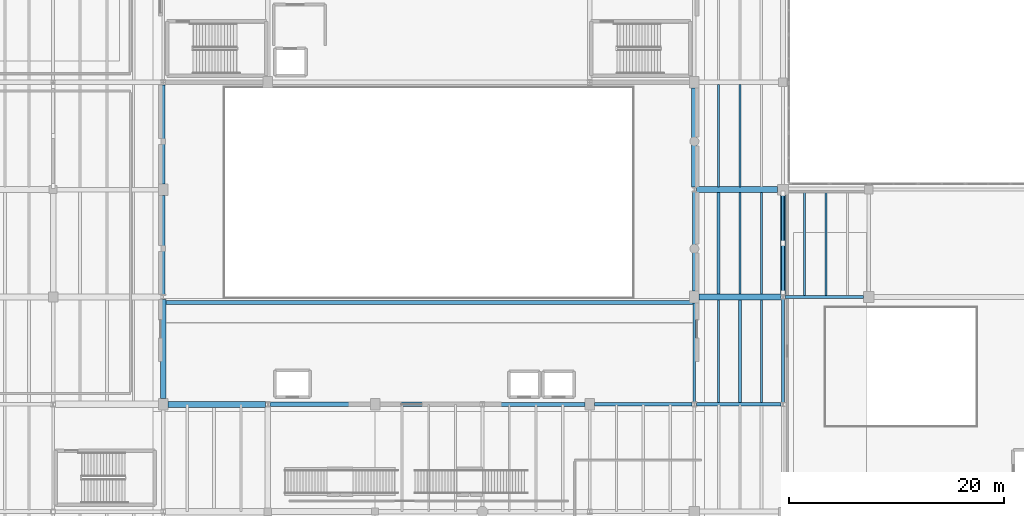
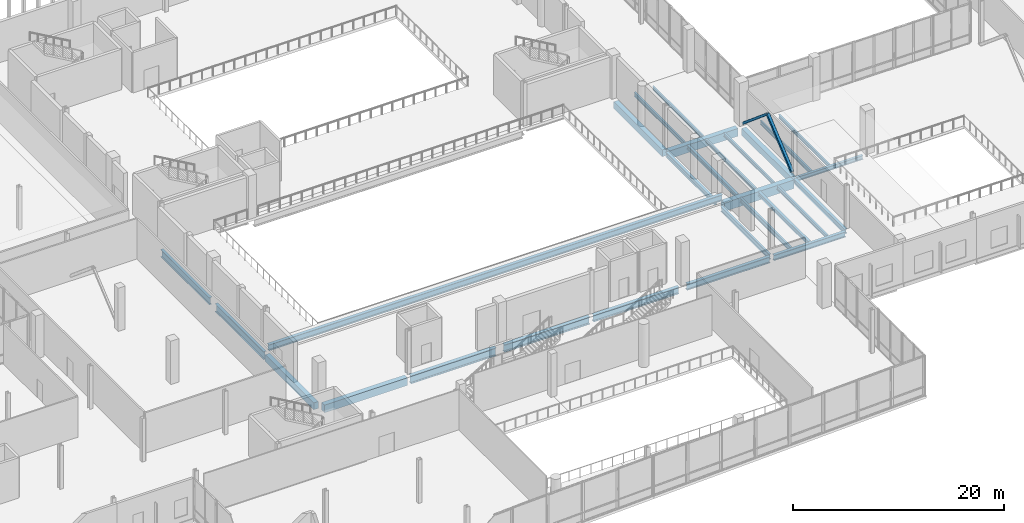
# One storey, part 30 of 81: 28 beams, 2 members.
"""IFC4 building model written with IfcOpenShell, lengths in metres."""

from ifc_helpers import new_model, si_unit, direction, frame, origin, origin_2d, place, context, subcontext, project, spatial, rectangle, hollow_rectangle, i_section, extrude, material, material_profile, profile_set, type_object, element, save


model = new_model("IFC4")

# Units and contexts
model_context = context("Model", 3, precision=1e-05, world=origin(), true_north=direction((0.0, 1.0)))
body_context = subcontext(model_context, "Body", "Model", "MODEL_VIEW")
ifc_project = project(units=[si_unit("LENGTHUNIT", "METRE"), si_unit("AREAUNIT", "SQUARE_METRE"), si_unit("VOLUMEUNIT", "CUBIC_METRE"), si_unit("PLANEANGLEUNIT", "RADIAN"), si_unit("MASSUNIT", "GRAM", prefix="KILO")], contexts=[model_context])

# Site, building, storey
site_placement = place(None, origin())
site = spatial("IfcSite", under=ifc_project, at=site_placement, CompositionType="ELEMENT")
building_placement = place(site_placement, origin())
building = spatial("IfcBuilding", under=site, at=building_placement, Name="Trimount Lyric Opera House", CompositionType="ELEMENT")
storey_placement = place(building_placement, frame((0.0, 0.0, 5.0)))
storey = spatial("IfcBuildingStorey", under=building, at=storey_placement, Name="L01", CompositionType="ELEMENT", Elevation=5.0)

# Beams
ifc_material_1 = material(Name="Steel ASTM A992 Grade 50", Category="steel")
ifc_material_profile_1 = material_profile(ifc_material_1, i_section(OverallWidth=0.4189453125, OverallDepth=0.927001953125, WebThickness=0.019287109375, FlangeThickness=0.031982421875, FilletRadius=0.02392578125, at=origin_2d()), Name="W36X231")
ifc_profile_set_1 = profile_set([ifc_material_profile_1], Name="Steel ASTM A992 Grade 50")
beam_type_1 = type_object("IfcBeamType", Name="B-02", PredefinedType="BEAM", material=ifc_profile_set_1)
beam_1_placement = place(storey_placement, frame((74.2109375, 54.0, -0.78857421875), z_axis=(1.0, 0.0, 0.0), x_axis=(0.0, 1.0, 0.0)))
element("IfcBeam", 1, at=beam_1_placement, inside=storey, type_object=beam_type_1, Name="L01 girder X-0499", PredefinedType="BEAM", context=body_context, shape_type="SweptSolid", body=[
    extrude(i_section(OverallWidth=0.4189453125, OverallDepth=0.927001953125, WebThickness=0.019287109375, FlangeThickness=0.031982421875, FilletRadius=0.02392578125, at=origin_2d()), origin(), (0.0, 0.0, 1.0), 9.339111328125),
])
ifc_material_2 = material(Name="Steel ASTM A992 Grade 50", Category="steel")
ifc_material_profile_2 = material_profile(ifc_material_2, i_section(OverallWidth=0.304931640625, OverallDepth=0.9189453125, WebThickness=0.017333984375, FlangeThickness=0.02783203125, FilletRadius=0.02001953125, at=origin_2d()), Name="W36X170")
ifc_profile_set_2 = profile_set([ifc_material_profile_2], Name="Steel ASTM A992 Grade 50")
beam_type_2 = type_object("IfcBeamType", Name="B-03", PredefinedType="BEAM", material=ifc_profile_set_2)
beam_2_placement = place(storey_placement, frame((64.260009765625, 64.232421875, -0.784423828125), z_axis=(0.0, 1.0, 0.0), x_axis=(-1.0, 0.0, 0.0)))
element("IfcBeam", 2, at=beam_2_placement, inside=storey, type_object=beam_type_2, Name="L01 girder Y-0651", PredefinedType="BEAM", context=body_context, shape_type="SweptSolid", body=[
    extrude(i_section(OverallWidth=0.304931640625, OverallDepth=0.9189453125, WebThickness=0.017333984375, FlangeThickness=0.02783203125, FilletRadius=0.02001953125, at=origin_2d()), origin(), (0.0, 0.0, 1.0), 9.217529296875),
])
ifc_material_3 = material(Name="Steel ASTM A992 Grade 50", Category="steel")
ifc_material_profile_3 = material_profile(ifc_material_3, i_section(OverallWidth=0.40087890625, OverallDepth=0.861083984375, WebThickness=0.019775390625, FlangeThickness=0.032470703125, FilletRadius=0.02001953125, at=origin_2d()), Name="W33X221")
ifc_profile_set_3 = profile_set([ifc_material_profile_3], Name="Steel ASTM A992 Grade 50")
beam_type_3 = type_object("IfcBeamType", Name="B-04", PredefinedType="BEAM", material=ifc_profile_set_3)
beam_3_placement = place(storey_placement, frame((84.449951171875, 54.0, -0.755615234375), z_axis=(1.0, 0.0, 0.0), x_axis=(0.0, 1.0, 0.0)))
element("IfcBeam", 3, at=beam_3_placement, inside=storey, type_object=beam_type_3, Name="L01 girder X-0500", PredefinedType="BEAM", context=body_context, shape_type="SweptSolid", body=[
    extrude(i_section(OverallWidth=0.40087890625, OverallDepth=0.861083984375, WebThickness=0.019775390625, FlangeThickness=0.032470703125, FilletRadius=0.02001953125, at=origin_2d()), origin(), (0.0, 0.0, 1.0), 9.339111328125),
])
ifc_material_4 = material(Name="Steel ASTM A992 Grade 50", Category="steel")
ifc_material_profile_4 = material_profile(ifc_material_4, i_section(OverallWidth=0.2919921875, OverallDepth=0.845947265625, WebThickness=0.015380859375, FlangeThickness=0.0244140625, FilletRadius=0.01806640625, at=origin_2d()), Name="W33X141")
ifc_profile_set_4 = profile_set([ifc_material_profile_4], Name="Steel ASTM A992 Grade 50")
beam_type_4 = type_object("IfcBeamType", Name="B-05", PredefinedType="BEAM", material=ifc_profile_set_4)
beam_4_placement = place(storey_placement, frame((64.260009765625, 74.550048828125, -0.748046875), z_axis=(0.0, 1.0, 0.0), x_axis=(-1.0, 0.0, 0.0)))
element("IfcBeam", 4, at=beam_4_placement, inside=storey, type_object=beam_type_4, Name="L01 girder Y-0652", PredefinedType="BEAM", context=body_context, shape_type="SweptSolid", body=[
    extrude(i_section(OverallWidth=0.2919921875, OverallDepth=0.845947265625, WebThickness=0.015380859375, FlangeThickness=0.0244140625, FilletRadius=0.01806640625, at=origin_2d()), origin(), (0.0, 0.0, 1.0), 9.217529296875),
])
ifc_material_5 = material(Name="Steel ASTM A992 Grade 50", Category="steel")
ifc_material_profile_5 = material_profile(ifc_material_5, i_section(OverallWidth=0.382080078125, OverallDepth=0.779052734375, WebThickness=0.01806640625, FlangeThickness=0.0302734375, FilletRadius=0.01904296875, at=origin_2d()), Name="W30X191")
ifc_profile_set_5 = profile_set([ifc_material_profile_5], Name="Steel ASTM A992 Grade 50")
beam_type_5 = type_object("IfcBeamType", Name="B-06", PredefinedType="BEAM", material=ifc_profile_set_5)
beam_5_placement = place(storey_placement, frame((94.2109375, 54.0, -0.714599609375), z_axis=(1.0, 0.0, 0.0), x_axis=(0.0, 1.0, 0.0)))
element("IfcBeam", 5, at=beam_5_placement, inside=storey, type_object=beam_type_5, Name="L01 girder X-0501", PredefinedType="BEAM", context=body_context, shape_type="SweptSolid", body=[
    extrude(i_section(OverallWidth=0.382080078125, OverallDepth=0.779052734375, WebThickness=0.01806640625, FlangeThickness=0.0302734375, FilletRadius=0.01904296875, at=origin_2d()), origin(), (0.0, 0.0, 1.0), 9.339111328125),
])
ifc_material_6 = material(Name="Steel ASTM A992 Grade 50", Category="steel")
ifc_material_profile_6 = material_profile(ifc_material_6, i_section(OverallWidth=0.35595703125, OverallDepth=0.700927734375, WebThickness=0.016845703125, FlangeThickness=0.02734375, FilletRadius=0.01806640625, at=origin_2d()), Name="W27X161")
ifc_profile_set_6 = profile_set([ifc_material_profile_6], Name="Steel ASTM A992 Grade 50")
beam_type_6 = type_object("IfcBeamType", Name="B-08", PredefinedType="BEAM", material=ifc_profile_set_6)
beam_6_placement = place(storey_placement, frame((104.449951171875, 54.0, -0.675537109375), z_axis=(1.0, 0.0, 0.0), x_axis=(0.0, 1.0, 0.0)))
element("IfcBeam", 6, at=beam_6_placement, inside=storey, type_object=beam_type_6, Name="L01 girder X-0502", PredefinedType="BEAM", context=body_context, shape_type="SweptSolid", body=[
    extrude(i_section(OverallWidth=0.35595703125, OverallDepth=0.700927734375, WebThickness=0.016845703125, FlangeThickness=0.02734375, FilletRadius=0.01806640625, at=origin_2d()), origin(), (0.0, 0.0, 1.0), 9.0791015625),
])
ifc_material_7 = material(Name="Steel ASTM A992 Grade 50", Category="steel")
ifc_material_profile_7 = material_profile(ifc_material_7, i_section(OverallWidth=0.327880859375, OverallDepth=0.626953125, WebThickness=0.0166015625, FlangeThickness=0.027587890625, FilletRadius=0.01611328125, at=origin_2d()), Name="W24X146")
ifc_profile_set_7 = profile_set([ifc_material_profile_7], Name="Steel ASTM A992 Grade 50")
beam_type_7 = type_object("IfcBeamType", Name="B-10", PredefinedType="BEAM", material=ifc_profile_set_7)
beam_7_placement = place(storey_placement, frame((113.950927734375, 54.0, -0.638427734375), z_axis=(1.0, 0.0, 0.0), x_axis=(0.0, 1.0, 0.0)))
element("IfcBeam", 7, at=beam_7_placement, inside=storey, type_object=beam_type_7, Name="L01 girder X-0503", PredefinedType="BEAM", context=body_context, shape_type="SweptSolid", body=[
    extrude(i_section(OverallWidth=0.327880859375, OverallDepth=0.626953125, WebThickness=0.0166015625, FlangeThickness=0.027587890625, FilletRadius=0.01611328125, at=origin_2d()), origin(), (0.0, 0.0, 1.0), 7.862548828125),
])
ifc_material_8 = material(Name="Steel ASTM A992 Grade 50", Category="steel")
ifc_material_profile_8 = material_profile(ifc_material_8, i_section(OverallWidth=0.22998046875, OverallDepth=0.616943359375, WebThickness=0.01318359375, FlangeThickness=0.022216796875, FilletRadius=0.013916015625, at=origin_2d()), Name="W24X94")
ifc_profile_set_8 = profile_set([ifc_material_profile_8], Name="Steel ASTM A992 Grade 50")
beam_type_8 = type_object("IfcBeamType", Name="B-11", PredefinedType="BEAM", material=ifc_profile_set_8)
beam_8_placement = place(storey_placement, frame((113.739990234375, 54.232421875, -0.633544921875), z_axis=(0.0, 1.0, 0.0), x_axis=(-1.0, 0.0, 0.0)))
element("IfcBeam", 8, at=beam_8_placement, inside=storey, type_object=beam_type_8, Name="L01 girder Y-0664", PredefinedType="BEAM", context=body_context, shape_type="SweptSolid", body=[
    extrude(i_section(OverallWidth=0.22998046875, OverallDepth=0.616943359375, WebThickness=0.01318359375, FlangeThickness=0.022216796875, FilletRadius=0.013916015625, at=origin_2d()), origin(), (0.0, 0.0, 1.0), 9.217529296875),
])
ifc_material_9 = material(Name="Steel ASTM A992 Grade 50", Category="steel")
ifc_material_profile_9 = material_profile(ifc_material_9, i_section(OverallWidth=0.31201171875, OverallDepth=0.5458984375, WebThickness=0.013916015625, FlangeThickness=0.022216796875, FilletRadius=0.014892578125, at=origin_2d()), Name="W21X111")
ifc_profile_set_9 = profile_set([ifc_material_profile_9], Name="Steel ASTM A992 Grade 50")
beam_type_9 = type_object("IfcBeamType", Name="B-12", PredefinedType="BEAM", material=ifc_profile_set_9)
beam_9_placement = place(storey_placement, frame((113.739990234375, 64.550048828125, -0.597900390625), z_axis=(0.0, 1.0, 0.0), x_axis=(-1.0, 0.0, 0.0)))
element("IfcBeam", 9, at=beam_9_placement, inside=storey, type_object=beam_type_9, Name="L01 girder Y-0665", PredefinedType="BEAM", context=body_context, shape_type="SweptSolid", body=[
    extrude(i_section(OverallWidth=0.31201171875, OverallDepth=0.5458984375, WebThickness=0.013916015625, FlangeThickness=0.022216796875, FilletRadius=0.014892578125, at=origin_2d()), origin(), (0.0, 0.0, 1.0), 9.217529296875),
])
beam_10_placement = place(storey_placement, frame((122.0, 54.18408203125, -0.552978515625), z_axis=(0.0, 1.0, 0.0), x_axis=(-1.0, 0.0, 0.0)))
element("IfcBeam", 10, at=beam_10_placement, inside=storey, type_object=beam_type_9, Name="L01 girder Y-0671", PredefinedType="BEAM", context=body_context, shape_type="SweptSolid", body=[
    extrude(i_section(OverallWidth=0.31201171875, OverallDepth=0.5458984375, WebThickness=0.013916015625, FlangeThickness=0.022216796875, FilletRadius=0.014892578125, at=origin_2d()), origin(), (0.0, 0.0, 1.0), 9.622802734375),
])
ifc_material_10 = material(Name="Concrete C40/50", Category="concrete")
ifc_material_profile_10 = material_profile(ifc_material_10, rectangle(XDim=0.60009765625, YDim=1.0, at=origin_2d()), Name="RC600X1000")
ifc_profile_set_10 = profile_set([ifc_material_profile_10], Name="Concrete C40/50")
beam_type_10 = type_object("IfcBeamType", Name="B-13", PredefinedType="BEAM", material=ifc_profile_set_10)
beam_11_placement = place(storey_placement, frame((114.18994140625, 64.0, -0.824951171875), z_axis=(1.0, 0.0, 0.0), x_axis=(0.0, 1.0, 0.0)))
element("IfcBeam", 11, at=beam_11_placement, inside=storey, type_object=beam_type_10, Name="L01 girder X-0514", PredefinedType="BEAM", context=body_context, shape_type="SweptSolid", body=[
    extrude(rectangle(XDim=0.60009765625, YDim=1.0, at=origin_2d()), origin(), (0.0, 0.0, 1.0), 7.610595703125),
])
ifc_material_11 = material(Name="Concrete C40/50", Category="concrete")
ifc_material_profile_11 = material_profile(ifc_material_11, rectangle(XDim=0.550048828125, YDim=0.89990234375, at=origin_2d()), Name="RC550X900")
ifc_profile_set_11 = profile_set([ifc_material_profile_11], Name="Concrete C40/50")
beam_type_11 = type_object("IfcBeamType", Name="B-14", PredefinedType="BEAM", material=ifc_profile_set_11)
beam_12_placement = place(storey_placement, frame((64.7099609375, 54.0, -0.77490234375), z_axis=(1.0, 0.0, 0.0), x_axis=(0.0, 1.0, 0.0)))
element("IfcBeam", 12, at=beam_12_placement, inside=storey, type_object=beam_type_11, Name="L01 girder X-0498", PredefinedType="BEAM", context=body_context, shape_type="SweptSolid", body=[
    extrude(rectangle(XDim=0.550048828125, YDim=0.89990234375, at=origin_2d()), origin(), (0.0, 0.0, 1.0), 9.0791015625),
])
beam_13_placement = place(storey_placement, frame((113.950927734375, 74.0, -0.77490234375), z_axis=(1.0, 0.0, 0.0), x_axis=(0.0, 1.0, 0.0)))
element("IfcBeam", 13, at=beam_13_placement, inside=storey, type_object=beam_type_11, Name="L01 girder X-0527", PredefinedType="BEAM", context=body_context, shape_type="SweptSolid", body=[
    extrude(rectangle(XDim=0.550048828125, YDim=0.89990234375, at=origin_2d()), origin(), (0.0, 0.0, 1.0), 7.549072265625),
])
ifc_material_12 = material(Name="Concrete C40/50", Category="concrete")
ifc_material_profile_12 = material_profile(ifc_material_12, rectangle(XDim=0.5, YDim=0.800048828125, at=origin_2d()), Name="RC500X800")
ifc_profile_set_12 = profile_set([ifc_material_profile_12], Name="Concrete C40/50")
beam_type_12 = type_object("IfcBeamType", Name="B-15", PredefinedType="BEAM", material=ifc_profile_set_12)
for number, where, z_axis, x_axis, name in (
    (14, (64.260009765625, 54.550048828125, -0.72509765625), (0.0, 1.0, 0.0), (-1.0, 0.0, 0.0), "L01 girder Y-0650"),
    (15, (113.739990234375, 74.232421875, -0.72509765625), (0.0, 1.0, 0.0), (-1.0, 0.0, 0.0), "L01 girder Y-0666"),
):
    element("IfcBeam", number, at=place(storey_placement, frame(where, z_axis=z_axis, x_axis=x_axis)), inside=storey, type_object=beam_type_12, Name=name, PredefinedType="BEAM", context=body_context, shape_type="SweptSolid", body=[
        extrude(rectangle(XDim=0.5, YDim=0.800048828125, at=origin_2d()), origin(), (0.0, 0.0, 1.0), 9.217529296875),
    ])
beam_14_placement = place(storey_placement, frame((122.0, 64.193115234375, -0.679931640625), z_axis=(0.0, 1.0, 0.0), x_axis=(-1.0, 0.0, 0.0)))
element("IfcBeam", 16, at=beam_14_placement, inside=storey, type_object=beam_type_12, Name="L01 girder Y-0672", PredefinedType="BEAM", context=body_context, shape_type="SweptSolid", body=[
    extrude(rectangle(XDim=0.5, YDim=0.800048828125, at=origin_2d()), origin(), (0.0, 0.0, 1.0), 9.306884765625),
])

# Members
ifc_material_13 = material(Name="Steel ASTM A500 Grade C", Category="steel")
ifc_material_profile_13 = material_profile(ifc_material_13, hollow_rectangle(XDim=0.3046875, YDim=0.3046875, WallThickness=0.01171875, InnerFilletRadius=0.01220703125, OuterFilletRadius=0.02392578125, at=origin_2d()), Name="HSS304.8X304.8X12.7")
ifc_profile_set_13 = profile_set([ifc_material_profile_13], Name="Steel ASTM A500 Grade C")
member_type_1 = type_object("IfcMemberType", Name="BR-02", PredefinedType="BRACE", material=ifc_profile_set_13)
member_1_placement = place(storey_placement, frame((122.0, 64.35009765625, 0.14990234375), z_axis=(0.0, 0.766173014074, 0.642634353661), x_axis=(-1.0, 0.0, 0.0)))
element("IfcMember", 17, at=member_1_placement, inside=storey, type_object=member_type_1, Name="L01 lateral chevron brace BF-3.1", PredefinedType="BRACE", context=body_context, shape_type="SweptSolid", body=[
    extrude(hollow_rectangle(XDim=0.3046875, YDim=0.3046875, WallThickness=0.01171875, InnerFilletRadius=0.01220703125, OuterFilletRadius=0.02392578125, at=origin_2d()), origin(), (0.0, 0.0, 1.0), 6.069091796875),
])
ifc_material_14 = material(Name="Steel ASTM A500 Grade C", Category="steel")
ifc_material_profile_14 = material_profile(ifc_material_14, hollow_rectangle(XDim=0.25390625, YDim=0.25390625, WallThickness=0.01171875, InnerFilletRadius=0.01220703125, OuterFilletRadius=0.02392578125, at=origin_2d()), Name="HSS254.0X254.0X12.7")
ifc_profile_set_14 = profile_set([ifc_material_profile_14], Name="Steel ASTM A500 Grade C")
member_type_2 = type_object("IfcMemberType", Name="BR-03", PredefinedType="BRACE", material=ifc_profile_set_14)
member_2_placement = place(storey_placement, frame((122.0, 73.64990234375, 0.14990234375), z_axis=(0.0, -0.766173014074, 0.642634353661), x_axis=(1.0, 0.0, 0.0)))
element("IfcMember", 18, at=member_2_placement, inside=storey, type_object=member_type_2, Name="L01 lateral chevron brace BF-3.2", PredefinedType="BRACE", context=body_context, shape_type="SweptSolid", body=[
    extrude(hollow_rectangle(XDim=0.25390625, YDim=0.25390625, WallThickness=0.01171875, InnerFilletRadius=0.01220703125, OuterFilletRadius=0.02392578125, at=origin_2d()), origin(), (0.0, 0.0, 1.0), 6.069091796875),
])

# Beams
ifc_material_15 = material(Name="Steel ASTM A992 Grade 50", Category="steel")
ifc_material_profile_15 = material_profile(ifc_material_15, i_section(OverallWidth=0.2099609375, OverallDepth=0.532958984375, WebThickness=0.01025390625, FlangeThickness=0.015625, FilletRadius=0.012939453125, at=origin_2d()), Name="W21X62")
ifc_profile_set_15 = profile_set([ifc_material_profile_15], Name="Steel ASTM A992 Grade 50")
beam_type_13 = type_object("IfcBeamType", Name="J-02", PredefinedType="BEAM", material=ifc_profile_set_15)
beam_15_placement = place(storey_placement, frame((116.0, 54.159912109375, -0.54638671875), z_axis=(0.0, 1.0, 0.0), x_axis=(-1.0, 0.0, 0.0)))
element("IfcBeam", 19, at=beam_15_placement, inside=storey, type_object=beam_type_13, Name="L01 composite floor joist 0698", PredefinedType="BEAM", context=body_context, shape_type="SweptSolid", body=[
    extrude(i_section(OverallWidth=0.2099609375, OverallDepth=0.532958984375, WebThickness=0.01025390625, FlangeThickness=0.015625, FilletRadius=0.012939453125, at=origin_2d()), origin(), (0.0, 0.0, 1.0), 9.544189453125),
])
ifc_material_16 = material(Name="Steel ASTM A992 Grade 50", Category="steel")
ifc_material_profile_16 = material_profile(ifc_material_16, i_section(OverallWidth=0.281982421875, OverallDepth=0.467041015625, WebThickness=0.01220703125, FlangeThickness=0.01953125, FilletRadius=0.012939453125, at=origin_2d()), Name="W18X86")
ifc_profile_set_16 = profile_set([ifc_material_profile_16], Name="Steel ASTM A992 Grade 50")
beam_type_14 = type_object("IfcBeamType", Name="J-03", PredefinedType="BEAM", material=ifc_profile_set_16)
beam_16_placement = place(storey_placement, frame((118.0, 54.159912109375, -0.513427734375), z_axis=(0.0, 1.0, 0.0), x_axis=(-1.0, 0.0, 0.0)))
element("IfcBeam", 20, at=beam_16_placement, inside=storey, type_object=beam_type_14, Name="L01 composite floor joist 0699", PredefinedType="BEAM", context=body_context, shape_type="SweptSolid", body=[
    extrude(i_section(OverallWidth=0.281982421875, OverallDepth=0.467041015625, WebThickness=0.01220703125, FlangeThickness=0.01953125, FilletRadius=0.012939453125, at=origin_2d()), origin(), (0.0, 0.0, 1.0), 9.544189453125),
])
beam_17_placement = place(storey_placement, frame((116.0, 64.2958984375, -0.513427734375), z_axis=(0.0, 1.0, 0.0), x_axis=(-1.0, 0.0, 0.0)))
element("IfcBeam", 21, at=beam_17_placement, inside=storey, type_object=beam_type_14, Name="L01 composite floor joist 0701", PredefinedType="BEAM", context=body_context, shape_type="SweptSolid", body=[
    extrude(i_section(OverallWidth=0.281982421875, OverallDepth=0.467041015625, WebThickness=0.01220703125, FlangeThickness=0.01953125, FilletRadius=0.012939453125, at=origin_2d()), origin(), (0.0, 0.0, 1.0), 9.43310546875),
])
ifc_material_17 = material(Name="Steel ASTM A992 Grade 50", Category="steel")
ifc_material_profile_17 = material_profile(ifc_material_17, i_section(OverallWidth=0.19091796875, OverallDepth=0.45703125, WebThickness=0.009033203125, FlangeThickness=0.014404296875, FilletRadius=0.010986328125, at=origin_2d()), Name="W18X50")
ifc_profile_set_17 = profile_set([ifc_material_profile_17], Name="Steel ASTM A992 Grade 50")
beam_type_15 = type_object("IfcBeamType", Name="J-04", PredefinedType="BEAM", material=ifc_profile_set_17)
beam_18_placement = place(storey_placement, frame((120.0, 54.159912109375, -0.508544921875), z_axis=(0.0, 1.0, 0.0), x_axis=(-1.0, 0.0, 0.0)))
element("IfcBeam", 22, at=beam_18_placement, inside=storey, type_object=beam_type_15, Name="L01 composite floor joist 0700", PredefinedType="BEAM", context=body_context, shape_type="SweptSolid", body=[
    extrude(i_section(OverallWidth=0.19091796875, OverallDepth=0.45703125, WebThickness=0.009033203125, FlangeThickness=0.014404296875, FilletRadius=0.010986328125, at=origin_2d()), origin(), (0.0, 0.0, 1.0), 9.544189453125),
])
beam_19_placement = place(storey_placement, frame((118.0, 64.2958984375, -0.508544921875), z_axis=(0.0, 1.0, 0.0), x_axis=(-1.0, 0.0, 0.0)))
element("IfcBeam", 23, at=beam_19_placement, inside=storey, type_object=beam_type_15, Name="L01 composite floor joist 0702", PredefinedType="BEAM", context=body_context, shape_type="SweptSolid", body=[
    extrude(i_section(OverallWidth=0.19091796875, OverallDepth=0.45703125, WebThickness=0.009033203125, FlangeThickness=0.014404296875, FilletRadius=0.010986328125, at=origin_2d()), origin(), (0.0, 0.0, 1.0), 9.43310546875),
])
beam_20_placement = place(storey_placement, frame((116.0, 74.27099609375, -0.508544921875), z_axis=(0.0, 1.0, 0.0), x_axis=(-1.0, 0.0, 0.0)))
element("IfcBeam", 24, at=beam_20_placement, inside=storey, type_object=beam_type_15, Name="L01 composite floor joist 0704", PredefinedType="BEAM", context=body_context, shape_type="SweptSolid", body=[
    extrude(i_section(OverallWidth=0.19091796875, OverallDepth=0.45703125, WebThickness=0.009033203125, FlangeThickness=0.014404296875, FilletRadius=0.010986328125, at=origin_2d()), origin(), (0.0, 0.0, 1.0), 9.5234375),
])
beam_21_placement = place(storey_placement, frame((124.0, 64.136962890625, -0.508544921875), z_axis=(0.0, 1.0, 0.0), x_axis=(-1.0, 0.0, 0.0)))
element("IfcBeam", 25, at=beam_21_placement, inside=storey, type_object=beam_type_15, Name="L01 composite floor joist 0713", PredefinedType="BEAM", context=body_context, shape_type="SweptSolid", body=[
    extrude(i_section(OverallWidth=0.19091796875, OverallDepth=0.45703125, WebThickness=0.009033203125, FlangeThickness=0.014404296875, FilletRadius=0.010986328125, at=origin_2d()), origin(), (0.0, 0.0, 1.0), 9.64208984375),
])
ifc_material_18 = material(Name="Steel ASTM A992 Grade 50", Category="steel")
ifc_material_profile_18 = material_profile(ifc_material_18, i_section(OverallWidth=0.180908203125, OverallDepth=0.4169921875, WebThickness=0.010986328125, FlangeThickness=0.018310546875, FilletRadius=0.010986328125, at=origin_2d()), Name="W16X57")
ifc_profile_set_18 = profile_set([ifc_material_profile_18], Name="Steel ASTM A992 Grade 50")
beam_type_16 = type_object("IfcBeamType", Name="J-05", PredefinedType="BEAM", material=ifc_profile_set_18)
beam_22_placement = place(storey_placement, frame((120.0, 64.2958984375, -0.488525390625), z_axis=(0.0, 1.0, 0.0), x_axis=(-1.0, 0.0, 0.0)))
element("IfcBeam", 26, at=beam_22_placement, inside=storey, type_object=beam_type_16, Name="L01 composite floor joist 0703", PredefinedType="BEAM", context=body_context, shape_type="SweptSolid", body=[
    extrude(i_section(OverallWidth=0.180908203125, OverallDepth=0.4169921875, WebThickness=0.010986328125, FlangeThickness=0.018310546875, FilletRadius=0.010986328125, at=origin_2d()), origin(), (0.0, 0.0, 1.0), 9.43310546875),
])
beam_23_placement = place(storey_placement, frame((118.0, 74.27099609375, -0.488525390625), z_axis=(0.0, 1.0, 0.0), x_axis=(-1.0, 0.0, 0.0)))
element("IfcBeam", 27, at=beam_23_placement, inside=storey, type_object=beam_type_16, Name="L01 composite floor joist 0705", PredefinedType="BEAM", context=body_context, shape_type="SweptSolid", body=[
    extrude(i_section(OverallWidth=0.180908203125, OverallDepth=0.4169921875, WebThickness=0.010986328125, FlangeThickness=0.018310546875, FilletRadius=0.010986328125, at=origin_2d()), origin(), (0.0, 0.0, 1.0), 9.5234375),
])
beam_24_placement = place(storey_placement, frame((126.0, 64.136962890625, -0.488525390625), z_axis=(0.0, 1.0, 0.0), x_axis=(-1.0, 0.0, 0.0)))
element("IfcBeam", 28, at=beam_24_placement, inside=storey, type_object=beam_type_16, Name="L01 composite floor joist 0714", PredefinedType="BEAM", context=body_context, shape_type="SweptSolid", body=[
    extrude(i_section(OverallWidth=0.180908203125, OverallDepth=0.4169921875, WebThickness=0.010986328125, FlangeThickness=0.018310546875, FilletRadius=0.010986328125, at=origin_2d()), origin(), (0.0, 0.0, 1.0), 9.64208984375),
])
ifc_material_19 = material(Name="Steel ASTM A992 Grade 50", Category="steel")
ifc_material_profile_19 = material_profile(ifc_material_19, i_section(OverallWidth=0.35595703125, OverallDepth=0.700927734375, WebThickness=0.016845703125, FlangeThickness=0.02734375, FilletRadius=0.01806640625, at=origin_2d()), Name="W27X161")
ifc_profile_set_19 = profile_set([ifc_material_profile_19], Name="Steel ASTM A992 Grade 50")
beam_type_17 = type_object("IfcBeamType", Name="RK-01", PredefinedType="USERDEFINED", material=ifc_profile_set_19)
beam_25_placement = place(storey_placement, frame((64.179931640625, 63.5, 0.650146484375), z_axis=(1.0, 0.0, 0.0), x_axis=(0.0, 1.0, 0.0)))
element("IfcBeam", 29, at=beam_25_placement, inside=storey, type_object=beam_type_17, Name="Parterre Box Center Tier raker 1", ObjectType="RAKER", PredefinedType="USERDEFINED", context=body_context, shape_type="SweptSolid", body=[
    extrude(i_section(OverallWidth=0.35595703125, OverallDepth=0.700927734375, WebThickness=0.016845703125, FlangeThickness=0.02734375, FilletRadius=0.01806640625, at=origin_2d()), origin(), (0.0, 0.0, 1.0), 49.64013671875),
])
ifc_material_20 = material(Name="Steel ASTM A992 Grade 50", Category="steel")
ifc_material_profile_20 = material_profile(ifc_material_20, i_section(OverallWidth=0.281982421875, OverallDepth=0.467041015625, WebThickness=0.01220703125, FlangeThickness=0.01953125, FilletRadius=0.012939453125, at=origin_2d()), Name="W18X86")
ifc_profile_set_20 = profile_set([ifc_material_profile_20], Name="Steel ASTM A992 Grade 50")
beam_type_18 = type_object("IfcBeamType", Name="SP-01", PredefinedType="SPANDREL", material=ifc_profile_set_20)
beam_26_placement = place(storey_placement, frame((122.199462890625, 64.0, -0.513427734375), z_axis=(1.0, 0.0, 0.0), x_axis=(0.0, 1.0, 0.0)))
element("IfcBeam", 30, at=beam_26_placement, inside=storey, type_object=beam_type_18, Name="L01 girder X-0515", PredefinedType="SPANDREL", context=body_context, shape_type="SweptSolid", body=[
    extrude(i_section(OverallWidth=0.281982421875, OverallDepth=0.467041015625, WebThickness=0.01220703125, FlangeThickness=0.01953125, FilletRadius=0.012939453125, at=origin_2d()), origin(), (0.0, 0.0, 1.0), 7.300537109375),
])

save(model, "model.ifc")
